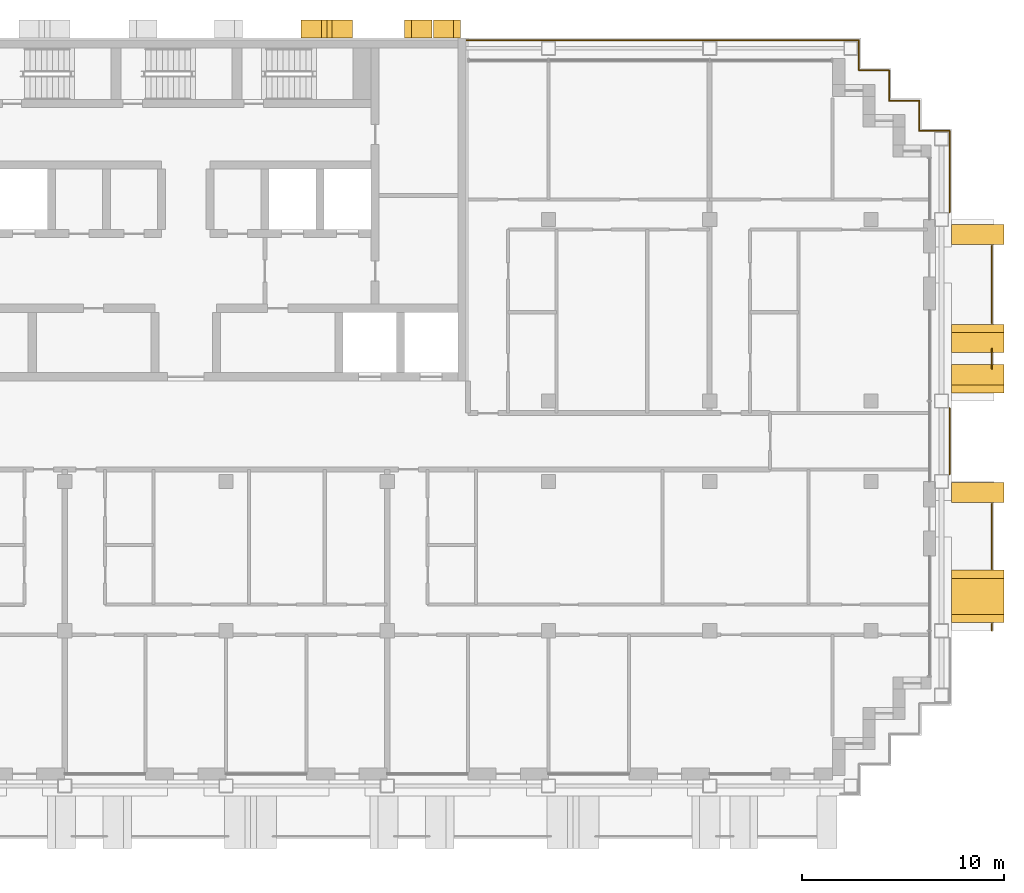
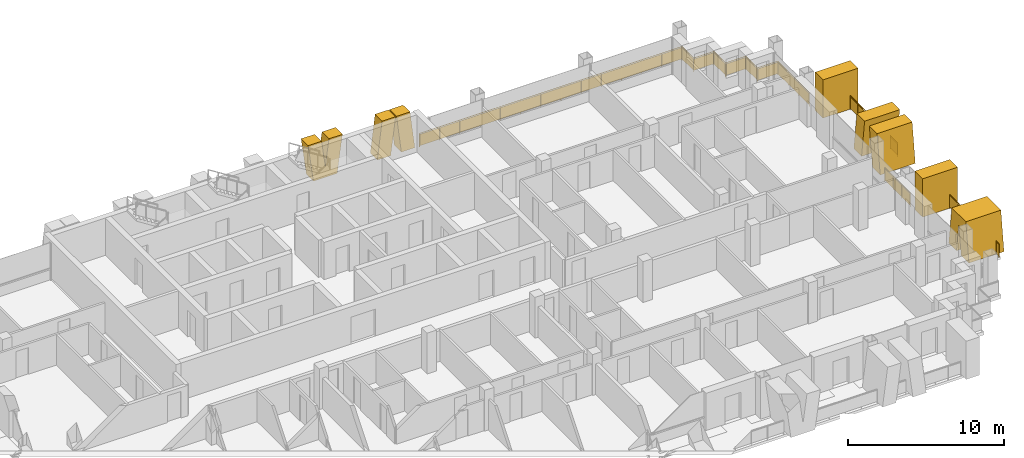
# One storey, part 16 of 16: 8 railings, 8 shading devices.
"""IFC4 building model written with IfcOpenShell, lengths in metres."""

from ifc_helpers import new_model, si_unit, direction, frame, origin, origin_2d, place, context, subcontext, project, spatial, polyline, rectangle, circle, outline, extrude, material, layer, layer_set, type_object, element, save


model = new_model("IFC4")

# Units and contexts
model_context = context("Model", 3, precision=1e-05, world=origin(), true_north=direction((0.0, 1.0)))
body_context = subcontext(model_context, "Body", "Model", "MODEL_VIEW")
ifc_project = project(units=[si_unit("LENGTHUNIT", "METRE"), si_unit("AREAUNIT", "SQUARE_METRE"), si_unit("VOLUMEUNIT", "CUBIC_METRE"), si_unit("PLANEANGLEUNIT", "RADIAN"), si_unit("MASSUNIT", "GRAM", prefix="KILO")], contexts=[model_context])

# Site, building, storey
site_placement = place(None, origin())
site = spatial("IfcSite", under=ifc_project, at=site_placement, CompositionType="ELEMENT")
building_placement = place(site_placement, origin())
building = spatial("IfcBuilding", under=site, at=building_placement, Name="Vidyagriha Tower", CompositionType="ELEMENT")
storey_placement = place(building_placement, frame((0.0, 0.0, 168.5)))
storey = spatial("IfcBuildingStorey", under=building, at=storey_placement, Name="L43", CompositionType="ELEMENT", Elevation=168.5)

# Railings
ifc_material_1 = material(Name="Steel ASTM A500 Grade C black painted", Category="steel")
railing_type_1 = type_object("IfcRailingType", Name="Balcony guard 1100", PredefinedType="BALUSTRADE", material=ifc_material_1)
railing_1_placement = place(storey_placement, frame((40.0, -9.39990234375, 0.0)))
element("IfcRailing", 1, at=railing_1_placement, inside=storey, type_object=railing_type_1, Name="Balcony guard L43 R30.1-1", PredefinedType="BALUSTRADE", context=body_context, shape_type="SweptSolid", body=[
    extrude(circle(Radius=0.02490234375, at=origin_2d()), frame((0.0, 0.0, 1.0751953125), z_axis=(0.0, 1.0, 0.0), x_axis=(-1.0, 0.0, 0.0)), (0.0, 0.0, 1.0), 0.349853515625),
    extrude(circle(Radius=0.02001953125, at=origin_2d()), origin(), (0.0, 0.0, 1.0), 1.050048828125),
    extrude(circle(Radius=0.02001953125, at=origin_2d()), frame((0.0, 0.349853515625, 0.0)), (0.0, 0.0, 1.0), 1.050048828125),
    extrude(rectangle(XDim=0.010009765625, YDim=0.900146484375, at=origin_2d()), frame((0.0, 0.0, 0.550048828125), z_axis=(0.0, 1.0, 0.0), x_axis=(-1.0, 0.0, 0.0)), (0.0, 0.0, 1.0), 0.349853515625),
])
railing_2_placement = place(storey_placement, frame((40.0, -6.35009765625, 0.0)))
element("IfcRailing", 2, at=railing_2_placement, inside=storey, type_object=railing_type_1, Name="Balcony guard L43 R30.1-2", PredefinedType="BALUSTRADE", context=body_context, shape_type="SweptSolid", body=[
    extrude(circle(Radius=0.02490234375, at=origin_2d()), frame((0.0, 0.0, 1.0751953125), z_axis=(0.0, 1.0, 0.0), x_axis=(-1.0, 0.0, 0.0)), (0.0, 0.0, 1.0), 3.25),
    extrude(circle(Radius=0.02001953125, at=origin_2d()), origin(), (0.0, 0.0, 1.0), 1.050048828125),
    extrude(circle(Radius=0.02001953125, at=origin_2d()), frame((0.0, 1.083251953125, 0.0)), (0.0, 0.0, 1.0), 1.050048828125),
    extrude(circle(Radius=0.02001953125, at=origin_2d()), frame((0.0, 2.166748046875, 0.0)), (0.0, 0.0, 1.0), 1.050048828125),
    extrude(circle(Radius=0.02001953125, at=origin_2d()), frame((0.0, 3.25, 0.0)), (0.0, 0.0, 1.0), 1.050048828125),
    extrude(rectangle(XDim=0.010009765625, YDim=0.900146484375, at=origin_2d()), frame((0.0, 0.0, 0.550048828125), z_axis=(0.0, 1.0, 0.0), x_axis=(-1.0, 0.0, 0.0)), (0.0, 0.0, 1.0), 3.25),
])
railing_3_placement = place(storey_placement, frame((40.0, 3.603271484375, 0.0)))
element("IfcRailing", 3, at=railing_3_placement, inside=storey, type_object=railing_type_1, Name="Balcony guard L43 R30.2-1", PredefinedType="BALUSTRADE", context=body_context, shape_type="SweptSolid", body=[
    extrude(circle(Radius=0.02490234375, at=origin_2d()), frame((0.0, 0.0, 1.0751953125), z_axis=(0.0, 1.0, 0.0), x_axis=(-1.0, 0.0, 0.0)), (0.0, 0.0, 1.0), 0.993408203125),
    extrude(circle(Radius=0.02001953125, at=origin_2d()), origin(), (0.0, 0.0, 1.0), 1.050048828125),
    extrude(circle(Radius=0.02001953125, at=origin_2d()), frame((0.0, 0.993408203125, 0.0)), (0.0, 0.0, 1.0), 1.050048828125),
    extrude(rectangle(XDim=0.010009765625, YDim=0.900146484375, at=origin_2d()), frame((0.0, 0.0, 0.550048828125), z_axis=(0.0, 1.0, 0.0), x_axis=(-1.0, 0.0, 0.0)), (0.0, 0.0, 1.0), 0.993408203125),
])
railing_4_placement = place(storey_placement, frame((40.0, 5.85009765625, 0.0)))
element("IfcRailing", 4, at=railing_4_placement, inside=storey, type_object=railing_type_1, Name="Balcony guard L43 R30.2-2", PredefinedType="BALUSTRADE", context=body_context, shape_type="SweptSolid", body=[
    extrude(circle(Radius=0.02490234375, at=origin_2d()), frame((0.0, 0.0, 1.0751953125), z_axis=(0.0, 1.0, 0.0), x_axis=(-1.0, 0.0, 0.0)), (0.0, 0.0, 1.0), 3.849853515625),
    extrude(circle(Radius=0.02001953125, at=origin_2d()), origin(), (0.0, 0.0, 1.0), 1.050048828125),
    extrude(circle(Radius=0.02001953125, at=origin_2d()), frame((0.0, 0.96240234375, 0.0)), (0.0, 0.0, 1.0), 1.050048828125),
    extrude(circle(Radius=0.02001953125, at=origin_2d()), frame((0.0, 1.9248046875, 0.0)), (0.0, 0.0, 1.0), 1.050048828125),
    extrude(circle(Radius=0.02001953125, at=origin_2d()), frame((0.0, 2.887451171875, 0.0)), (0.0, 0.0, 1.0), 1.050048828125),
    extrude(circle(Radius=0.02001953125, at=origin_2d()), frame((0.0, 3.849853515625, 0.0)), (0.0, 0.0, 1.0), 1.050048828125),
    extrude(rectangle(XDim=0.010009765625, YDim=0.900146484375, at=origin_2d()), frame((0.0, 0.0, 0.550048828125), z_axis=(0.0, 1.0, 0.0), x_axis=(-1.0, 0.0, 0.0)), (0.0, 0.0, 1.0), 3.849853515625),
])

# Shading devices
ifc_material_2 = material(Name="Precast concrete C40/50 with buff brick facing", Category="concrete")
ifc_layer_1 = layer(ifc_material_2, 1.0)
ifc_layer_set_1 = layer_set([ifc_layer_1], Name="Precast concrete C40/50 with buff brick facing")
shading_device_type_1 = type_object("IfcShadingDeviceType", Name="Brick-faced blade fin arm leaning 8 degrees", PredefinedType="USERDEFINED", material=ifc_layer_set_1)
shading_device_1_placement = place(storey_placement, frame((39.300048828125, 2.39990234375, 0.0), z_axis=(0.0, 0.0, 1.0), x_axis=(0.0, 1.0, 0.0)))
element("IfcShadingDevice", 5, at=shading_device_1_placement, inside=storey, type_object=shading_device_type_1, Name="Leaning blade fin L43 R30.1370a", ObjectType="BLADE FIN", PredefinedType="USERDEFINED", context=body_context, shape_type="SweptSolid", body=[
    extrude(outline(polyline([(0.0, 0.0), (1.0, 0.0), (1.39990234375, 3.0), (0.39990234375, 3.0), (0.0, 0.0)])), frame((0.0, 1.300048828125, 0.0), z_axis=(0.0, -1.0, 0.0), x_axis=(1.0, 0.0, 0.0)), (0.0, 0.0, 1.0), 2.60009765625),
])
shading_device_2_placement = place(storey_placement, frame((39.300048828125, 4.39990234375, 0.0), z_axis=(0.0, 0.0, 1.0), x_axis=(0.0, 1.0, 0.0)))
element("IfcShadingDevice", 6, at=shading_device_2_placement, inside=storey, type_object=shading_device_type_1, Name="Leaning blade fin L43 R30.1370b", ObjectType="BLADE FIN", PredefinedType="USERDEFINED", context=body_context, shape_type="SweptSolid", body=[
    extrude(outline(polyline([(0.39990234375, 0.0), (1.39990234375, 0.0), (1.0, 3.0), (0.0, 3.0), (0.39990234375, 0.0)])), frame((0.0, 1.300048828125, 0.0), z_axis=(0.0, -1.0, 0.0), x_axis=(1.0, 0.0, 0.0)), (0.0, 0.0, 1.0), 2.60009765625),
])
ifc_material_3 = material(Name="Precast concrete C40/50 with buff brick facing", Category="concrete")
ifc_layer_2 = layer(ifc_material_3, 1.0)
ifc_layer_set_2 = layer_set([ifc_layer_2], Name="Precast concrete C40/50 with buff brick facing")
shading_device_type_2 = type_object("IfcShadingDeviceType", Name="Brick-faced blade fin forking 8 degrees", PredefinedType="USERDEFINED", material=ifc_layer_set_2)
shading_device_3_placement = place(storey_placement, frame((39.300048828125, -9.0, 0.0), z_axis=(0.0, 0.0, 1.0), x_axis=(0.0, 1.0, 0.0)))
element("IfcShadingDevice", 7, at=shading_device_3_placement, inside=storey, type_object=shading_device_type_2, Name="Forked blade fin L43 R30.230a", ObjectType="BLADE FIN", PredefinedType="USERDEFINED", context=body_context, shape_type="SweptSolid", body=[
    extrude(outline(polyline([(1.0, 0.0), (1.300048828125, 2.25), (1.60009765625, 0.0), (2.60009765625, 0.0), (2.199951171875, 3.0), (0.39990234375, 3.0), (0.0, 0.0), (1.0, 0.0)])), frame((0.0, 1.300048828125, 0.0), z_axis=(0.0, -1.0, 0.0), x_axis=(1.0, 0.0, 0.0)), (0.0, 0.0, 1.0), 2.60009765625),
])
ifc_material_4 = material(Name="Precast concrete C40/50 with buff brick facing", Category="concrete")
ifc_layer_3 = layer(ifc_material_4, 1.0)
ifc_layer_set_3 = layer_set([ifc_layer_3], Name="Precast concrete C40/50 with buff brick facing")
shading_device_type_3 = type_object("IfcShadingDeviceType", Name="Brick-faced blade fin stem 1000", PredefinedType="USERDEFINED", material=ifc_layer_set_3)
for number, where, z_axis, x_axis, name in (
    (8, (39.300048828125, -3.050048828125, 0.0), (0.0, 0.0, 1.0), (0.0, 1.0, 0.0), "Stem blade fin L43 R30.970a"),
    (9, (39.300048828125, 9.75, 0.0), (0.0, 0.0, 1.0), (0.0, 1.0, 0.0), "Stem blade fin L43 R30.2270a"),
):
    element("IfcShadingDevice", number, at=place(storey_placement, frame(where, z_axis=z_axis, x_axis=x_axis)), inside=storey, type_object=shading_device_type_3, Name=name, ObjectType="BLADE FIN", PredefinedType="USERDEFINED", context=body_context, shape_type="SweptSolid", body=[
        extrude(outline(polyline([(0.0, 0.0), (1.0, 0.0), (1.0, 3.0), (0.0, 3.0), (0.0, 0.0)])), frame((0.0, 1.300048828125, 0.0), z_axis=(0.0, -1.0, 0.0), x_axis=(1.0, 0.0, 0.0)), (0.0, 0.0, 1.0), 2.60009765625),
    ])
ifc_material_5 = material(Name="Precast concrete C40/50 with brick facing", Category="concrete")
ifc_layer_4 = layer(ifc_material_5, 1.0)
ifc_layer_set_4 = layer_set([ifc_layer_4], Name="Precast concrete C40/50 with brick facing")
shading_device_type_4 = type_object("IfcShadingDeviceType", Name="Brick-faced rear rib arm leaning 8 degrees", PredefinedType="USERDEFINED", material=ifc_layer_set_4)
shading_device_4_placement = place(storey_placement, frame((13.642822265625, 20.449951171875, 0.0), z_axis=(0.0, 0.0, 1.0), x_axis=(-1.0, 0.0, 0.0)))
element("IfcShadingDevice", 10, at=shading_device_4_placement, inside=storey, type_object=shading_device_type_4, Name="Rear rib arm L43 R08.1a", ObjectType="BLADE FIN", PredefinedType="USERDEFINED", context=body_context, shape_type="SweptSolid", body=[
    extrude(outline(polyline([(0.0, 0.0), (1.0, 0.0), (1.357177734375, 2.919921875), (0.357177734375, 2.919921875), (0.0, 0.0)])), frame((0.0, 0.449951171875, 0.0), z_axis=(0.0, -1.0, 0.0), x_axis=(1.0, 0.0, 0.0)), (0.0, 0.0, 1.0), 0.89990234375),
])
shading_device_5_placement = place(storey_placement, frame((12.21435546875, 20.449951171875, 0.0), z_axis=(0.0, 0.0, 1.0), x_axis=(-1.0, 0.0, 0.0)))
element("IfcShadingDevice", 11, at=shading_device_5_placement, inside=storey, type_object=shading_device_type_4, Name="Rear rib arm L43 R08.1b", ObjectType="BLADE FIN", PredefinedType="USERDEFINED", context=body_context, shape_type="SweptSolid", body=[
    extrude(outline(polyline([(0.357177734375, 0.0), (1.357177734375, 0.0), (1.0, 2.919921875), (0.0, 2.919921875), (0.357177734375, 0.0)])), frame((0.0, 0.449951171875, 0.0), z_axis=(0.0, -1.0, 0.0), x_axis=(1.0, 0.0, 0.0)), (0.0, 0.0, 1.0), 0.89990234375),
])
ifc_material_6 = material(Name="Precast concrete C40/50 with brick facing", Category="concrete")
ifc_layer_5 = layer(ifc_material_6, 1.0)
ifc_layer_set_5 = layer_set([ifc_layer_5], Name="Precast concrete C40/50 with brick facing")
shading_device_type_5 = type_object("IfcShadingDeviceType", Name="Brick-faced rear rib forking 8 degrees", PredefinedType="USERDEFINED", material=ifc_layer_set_5)
shading_device_6_placement = place(storey_placement, frame((8.271484375, 20.449951171875, 0.0), z_axis=(0.0, 0.0, 1.0), x_axis=(-1.0, 0.0, 0.0)))
element("IfcShadingDevice", 12, at=shading_device_6_placement, inside=storey, type_object=shading_device_type_5, Name="Rear rib fork L43 R08.2a", ObjectType="BLADE FIN", PredefinedType="USERDEFINED", context=body_context, shape_type="SweptSolid", body=[
    extrude(outline(polyline([(0.3857421875, 0.0), (2.156982421875, 0.0), (2.542724609375, 2.919921875), (1.542724609375, 2.919921875), (1.271484375, 0.865234375), (1.0, 2.919921875), (0.0, 2.919921875), (0.3857421875, 0.0)])), frame((0.0, 0.449951171875, 0.0), z_axis=(0.0, -1.0, 0.0), x_axis=(1.0, 0.0, 0.0)), (0.0, 0.0, 1.0), 0.89990234375),
])

# Railings
ifc_material_7 = material(Name="Steel ASTM A500 Grade C black painted", Category="steel")
railing_type_2 = type_object("IfcRailingType", Name="Gallery guard 1100", PredefinedType="GUARDRAIL", material=ifc_material_7)
railing_5_placement = place(storey_placement, frame((13.929931640625, 19.89990234375, 0.0)))
element("IfcRailing", 13, at=railing_5_placement, inside=storey, type_object=railing_type_2, Name="Gallery guard L43 6", PredefinedType="GUARDRAIL", context=body_context, shape_type="SweptSolid", body=[
    extrude(circle(Radius=0.02490234375, at=origin_2d()), frame((0.0, 0.0, 1.0751953125), z_axis=(1.0, 0.0, 0.0), x_axis=(0.0, 1.0, 0.0)), (0.0, 0.0, 1.0), 12.0),
    extrude(circle(Radius=0.02001953125, at=origin_2d()), origin(), (0.0, 0.0, 1.0), 1.050048828125),
    extrude(circle(Radius=0.02001953125, at=origin_2d()), frame((1.5, 0.0, 0.0)), (0.0, 0.0, 1.0), 1.050048828125),
    extrude(circle(Radius=0.02001953125, at=origin_2d()), frame((3.0, 0.0, 0.0)), (0.0, 0.0, 1.0), 1.050048828125),
    extrude(circle(Radius=0.02001953125, at=origin_2d()), frame((4.5, 0.0, 0.0)), (0.0, 0.0, 1.0), 1.050048828125),
    extrude(circle(Radius=0.02001953125, at=origin_2d()), frame((6.0, 0.0, 0.0)), (0.0, 0.0, 1.0), 1.050048828125),
    extrude(circle(Radius=0.02001953125, at=origin_2d()), frame((7.5, 0.0, 0.0)), (0.0, 0.0, 1.0), 1.050048828125),
    extrude(circle(Radius=0.02001953125, at=origin_2d()), frame((9.0, 0.0, 0.0)), (0.0, 0.0, 1.0), 1.050048828125),
    extrude(circle(Radius=0.02001953125, at=origin_2d()), frame((10.5, 0.0, 0.0)), (0.0, 0.0, 1.0), 1.050048828125),
    extrude(circle(Radius=0.02001953125, at=origin_2d()), frame((12.0, 0.0, 0.0)), (0.0, 0.0, 1.0), 1.050048828125),
    extrude(rectangle(XDim=0.010009765625, YDim=0.900146484375, at=origin_2d()), frame((0.0, 0.0, 0.550048828125), z_axis=(1.0, 0.0, 0.0), x_axis=(0.0, 1.0, 0.0)), (0.0, 0.0, 1.0), 12.0),
])
railing_6_placement = place(storey_placement, frame((25.929931640625, 19.89990234375, 0.0)))
element("IfcRailing", 14, at=railing_6_placement, inside=storey, type_object=railing_type_2, Name="Gallery guard L43 7", PredefinedType="GUARDRAIL", context=body_context, shape_type="SweptSolid", body=[
    extrude(circle(Radius=0.02490234375, at=origin_2d()), frame((0.0, 0.0, 1.0751953125), z_axis=(1.0, 0.0, 0.0), x_axis=(0.0, 1.0, 0.0)), (0.0, 0.0, 1.0), 7.469970703125),
    extrude(circle(Radius=0.02490234375, at=origin_2d()), frame((7.469970703125, 0.0, 1.0751953125), z_axis=(0.0, -1.0, 0.0), x_axis=(1.0, 0.0, 0.0)), (0.0, 0.0, 1.0), 1.5),
    extrude(circle(Radius=0.02490234375, at=origin_2d()), frame((7.469970703125, -1.5, 1.0751953125), z_axis=(1.0, 0.0, 0.0), x_axis=(0.0, 1.0, 0.0)), (0.0, 0.0, 1.0), 1.5),
    extrude(circle(Radius=0.02490234375, at=origin_2d()), frame((8.969970703125, -1.5, 1.0751953125), z_axis=(0.0, -1.0, 0.0), x_axis=(1.0, 0.0, 0.0)), (0.0, 0.0, 1.0), 1.5),
    extrude(circle(Radius=0.02490234375, at=origin_2d()), frame((8.969970703125, -3.0, 1.0751953125), z_axis=(1.0, 0.0, 0.0), x_axis=(0.0, 1.0, 0.0)), (0.0, 0.0, 1.0), 0.030029296875),
    extrude(circle(Radius=0.02001953125, at=origin_2d()), origin(), (0.0, 0.0, 1.0), 1.050048828125),
    extrude(circle(Radius=0.02001953125, at=origin_2d()), frame((1.493896484375, 0.0, 0.0)), (0.0, 0.0, 1.0), 1.050048828125),
    extrude(circle(Radius=0.02001953125, at=origin_2d()), frame((2.988037109375, 0.0, 0.0)), (0.0, 0.0, 1.0), 1.050048828125),
    extrude(circle(Radius=0.02001953125, at=origin_2d()), frame((4.48193359375, 0.0, 0.0)), (0.0, 0.0, 1.0), 1.050048828125),
    extrude(circle(Radius=0.02001953125, at=origin_2d()), frame((5.97607421875, 0.0, 0.0)), (0.0, 0.0, 1.0), 1.050048828125),
    extrude(circle(Radius=0.02001953125, at=origin_2d()), frame((7.469970703125, 0.0, 0.0)), (0.0, 0.0, 1.0), 1.050048828125),
    extrude(circle(Radius=0.02001953125, at=origin_2d()), frame((7.469970703125, -1.5, 0.0)), (0.0, 0.0, 1.0), 1.050048828125),
    extrude(circle(Radius=0.02001953125, at=origin_2d()), frame((8.969970703125, -1.5, 0.0)), (0.0, 0.0, 1.0), 1.050048828125),
    extrude(circle(Radius=0.02001953125, at=origin_2d()), frame((8.969970703125, -3.0, 0.0)), (0.0, 0.0, 1.0), 1.050048828125),
    extrude(circle(Radius=0.02001953125, at=origin_2d()), frame((9.0, -3.0, 0.0)), (0.0, 0.0, 1.0), 1.050048828125),
    extrude(rectangle(XDim=0.010009765625, YDim=0.900146484375, at=origin_2d()), frame((0.0, 0.0, 0.550048828125), z_axis=(1.0, 0.0, 0.0), x_axis=(0.0, 1.0, 0.0)), (0.0, 0.0, 1.0), 7.469970703125),
    extrude(rectangle(XDim=0.010009765625, YDim=0.900146484375, at=origin_2d()), frame((7.469970703125, 0.0, 0.550048828125), z_axis=(0.0, -1.0, 0.0), x_axis=(1.0, 0.0, 0.0)), (0.0, 0.0, 1.0), 1.5),
    extrude(rectangle(XDim=0.010009765625, YDim=0.900146484375, at=origin_2d()), frame((7.469970703125, -1.5, 0.550048828125), z_axis=(1.0, 0.0, 0.0), x_axis=(0.0, 1.0, 0.0)), (0.0, 0.0, 1.0), 1.5),
    extrude(rectangle(XDim=0.010009765625, YDim=0.900146484375, at=origin_2d()), frame((8.969970703125, -1.5, 0.550048828125), z_axis=(0.0, -1.0, 0.0), x_axis=(1.0, 0.0, 0.0)), (0.0, 0.0, 1.0), 1.5),
    extrude(rectangle(XDim=0.010009765625, YDim=0.900146484375, at=origin_2d()), frame((8.969970703125, -3.0, 0.550048828125), z_axis=(1.0, 0.0, 0.0), x_axis=(0.0, 1.0, 0.0)), (0.0, 0.0, 1.0), 0.030029296875),
])
railing_7_placement = place(storey_placement, frame((34.929931640625, 16.89990234375, 0.0)))
element("IfcRailing", 15, at=railing_7_placement, inside=storey, type_object=railing_type_2, Name="Gallery guard L43 8", PredefinedType="GUARDRAIL", context=body_context, shape_type="SweptSolid", body=[
    extrude(circle(Radius=0.02490234375, at=origin_2d()), frame((0.0, 0.0, 1.0751953125), z_axis=(1.0, 0.0, 0.0), x_axis=(0.0, 1.0, 0.0)), (0.0, 0.0, 1.0), 1.469970703125),
    extrude(circle(Radius=0.02490234375, at=origin_2d()), frame((1.469970703125, 0.0, 1.0751953125), z_axis=(0.0, -1.0, 0.0), x_axis=(1.0, 0.0, 0.0)), (0.0, 0.0, 1.0), 1.5),
    extrude(circle(Radius=0.02490234375, at=origin_2d()), frame((1.469970703125, -1.5, 1.0751953125), z_axis=(1.0, 0.0, 0.0), x_axis=(0.0, 1.0, 0.0)), (0.0, 0.0, 1.0), 1.5),
    extrude(circle(Radius=0.02490234375, at=origin_2d()), frame((2.969970703125, -1.5, 1.0751953125), z_axis=(0.0, -1.0, 0.0), x_axis=(1.0, 0.0, 0.0)), (0.0, 0.0, 1.0), 4.039794921875),
    extrude(circle(Radius=0.02001953125, at=origin_2d()), origin(), (0.0, 0.0, 1.0), 1.050048828125),
    extrude(circle(Radius=0.02001953125, at=origin_2d()), frame((1.469970703125, 0.0, 0.0)), (0.0, 0.0, 1.0), 1.050048828125),
    extrude(circle(Radius=0.02001953125, at=origin_2d()), frame((1.469970703125, -1.5, 0.0)), (0.0, 0.0, 1.0), 1.050048828125),
    extrude(circle(Radius=0.02001953125, at=origin_2d()), frame((2.969970703125, -1.5, 0.0)), (0.0, 0.0, 1.0), 1.050048828125),
    extrude(circle(Radius=0.02001953125, at=origin_2d()), frame((2.969970703125, -2.8466796875, 0.0)), (0.0, 0.0, 1.0), 1.050048828125),
    extrude(circle(Radius=0.02001953125, at=origin_2d()), frame((2.969970703125, -4.193115234375, 0.0)), (0.0, 0.0, 1.0), 1.050048828125),
    extrude(circle(Radius=0.02001953125, at=origin_2d()), frame((2.969970703125, -5.539794921875, 0.0)), (0.0, 0.0, 1.0), 1.050048828125),
    extrude(rectangle(XDim=0.010009765625, YDim=0.900146484375, at=origin_2d()), frame((0.0, 0.0, 0.550048828125), z_axis=(1.0, 0.0, 0.0), x_axis=(0.0, 1.0, 0.0)), (0.0, 0.0, 1.0), 1.469970703125),
    extrude(rectangle(XDim=0.010009765625, YDim=0.900146484375, at=origin_2d()), frame((1.469970703125, 0.0, 0.550048828125), z_axis=(0.0, -1.0, 0.0), x_axis=(1.0, 0.0, 0.0)), (0.0, 0.0, 1.0), 1.5),
    extrude(rectangle(XDim=0.010009765625, YDim=0.900146484375, at=origin_2d()), frame((1.469970703125, -1.5, 0.550048828125), z_axis=(1.0, 0.0, 0.0), x_axis=(0.0, 1.0, 0.0)), (0.0, 0.0, 1.0), 1.5),
    extrude(rectangle(XDim=0.010009765625, YDim=0.900146484375, at=origin_2d()), frame((2.969970703125, -1.5, 0.550048828125), z_axis=(0.0, -1.0, 0.0), x_axis=(1.0, 0.0, 0.0)), (0.0, 0.0, 1.0), 4.039794921875),
])
railing_8_placement = place(storey_placement, frame((37.89990234375, 1.639892578125, 0.0)))
element("IfcRailing", 16, at=railing_8_placement, inside=storey, type_object=railing_type_2, Name="Gallery guard L43 11", PredefinedType="GUARDRAIL", context=body_context, shape_type="SweptSolid", body=[
    extrude(circle(Radius=0.02490234375, at=origin_2d()), frame((0.0, 0.0, 1.0751953125), z_axis=(0.0, -1.0, 0.0), x_axis=(1.0, 0.0, 0.0)), (0.0, 0.0, 1.0), 3.27978515625),
    extrude(circle(Radius=0.02001953125, at=origin_2d()), origin(), (0.0, 0.0, 1.0), 1.050048828125),
    extrude(circle(Radius=0.02001953125, at=origin_2d()), frame((0.0, -1.09326171875, 0.0)), (0.0, 0.0, 1.0), 1.050048828125),
    extrude(circle(Radius=0.02001953125, at=origin_2d()), frame((0.0, -2.1865234375, 0.0)), (0.0, 0.0, 1.0), 1.050048828125),
    extrude(circle(Radius=0.02001953125, at=origin_2d()), frame((0.0, -3.27978515625, 0.0)), (0.0, 0.0, 1.0), 1.050048828125),
    extrude(rectangle(XDim=0.010009765625, YDim=0.900146484375, at=origin_2d()), frame((0.0, 0.0, 0.550048828125), z_axis=(0.0, -1.0, 0.0), x_axis=(1.0, 0.0, 0.0)), (0.0, 0.0, 1.0), 3.27978515625),
])

save(model, "model.ifc")
